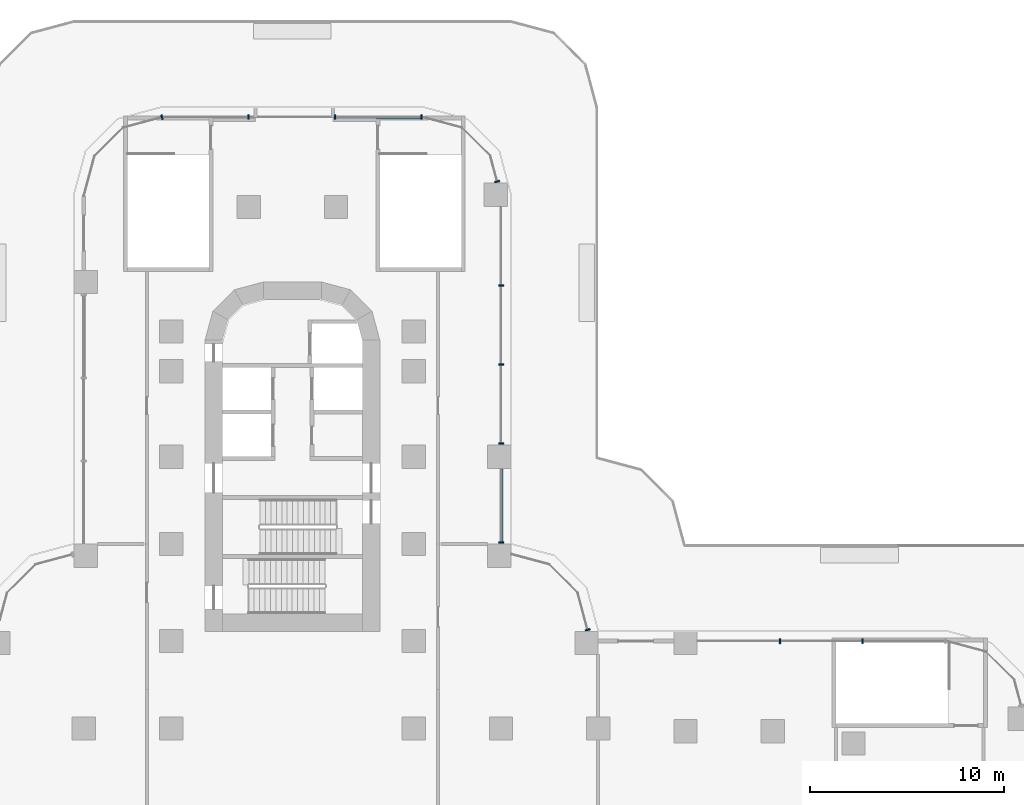
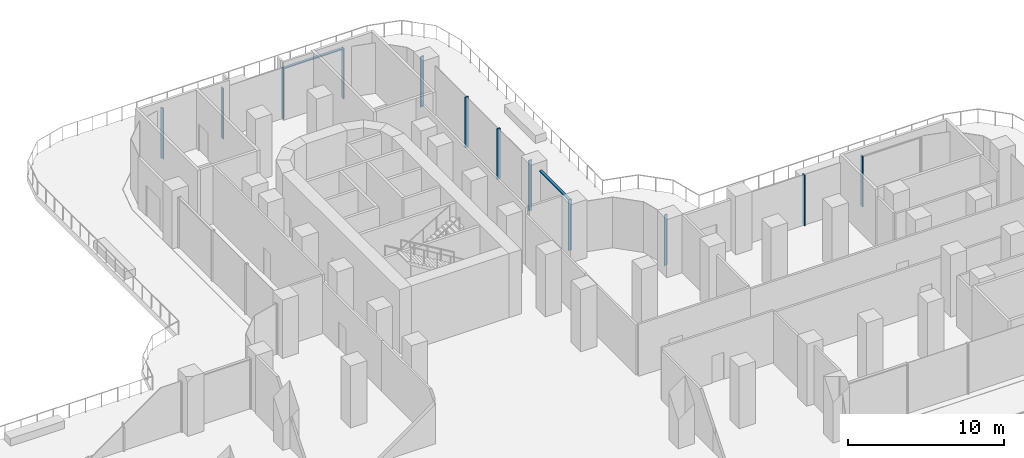
# One storey, part 7 of 21: 14 members, 6 elements without a shape of their own.
"""IFC4 building model written with IfcOpenShell, lengths in metres."""

from ifc_helpers import new_model, si_unit, direction, frame, origin, place, context, subcontext, project, spatial, polyline, outline, extrude, source, transform, mapped, material, type_object, element, aggregate, save


model = new_model("IFC4")

# Units and contexts
model_context = context("Model", 3, precision=1e-05, world=origin(), true_north=direction((0.0, 1.0)))
body_context = subcontext(model_context, "Body", "Model", "MODEL_VIEW")
ifc_project = project(units=[si_unit("LENGTHUNIT", "METRE"), si_unit("AREAUNIT", "SQUARE_METRE"), si_unit("VOLUMEUNIT", "CUBIC_METRE"), si_unit("PLANEANGLEUNIT", "RADIAN"), si_unit("MASSUNIT", "GRAM", prefix="KILO")], contexts=[model_context])

# Site, building, storey
site_placement = place(None, origin())
site = spatial("IfcSite", under=ifc_project, at=site_placement, CompositionType="ELEMENT")
building_placement = place(site_placement, origin())
building = spatial("IfcBuilding", under=site, at=building_placement, Name="Zarbagh Exchange Tower", CompositionType="ELEMENT")
storey_placement = place(building_placement, frame((0.0, 0.0, 22.0)))
storey = spatial("IfcBuildingStorey", under=building, at=storey_placement, Name="L04", CompositionType="ELEMENT", Elevation=22.0)

# Curtain wall, member
ifc_material_1 = material(Name="Anodised aluminium frame and glazing", Category="aluminium")
curtain_wall_type = type_object("IfcCurtainWallType", Name="CWC Podium garden-wall glazing", PredefinedType="NOTDEFINED", material=ifc_material_1)
curtain_wall_1_placement = place(storey_placement, origin())
curtain_wall_1 = element("IfcCurtainWall", 1, at=curtain_wall_1_placement, inside=storey, type_object=curtain_wall_type, Name="CWC203 curtain wall", PredefinedType="NOTDEFINED")
ifc_material_2 = material(Name="Anodised aluminium frame", Category="aluminium")
member_type_1 = type_object("IfcMemberType", Name="TRC Transom, anodised aluminium frame", PredefinedType="USERDEFINED", material=ifc_material_2)
shared_shape_1 = source(origin(), body_context, "Body", "SweptSolid", [
    extrude(outline(polyline([(-0.080078125, -0.090087890625), (0.0, -0.090087890625), (0.0, 0.090087890625), (-0.080078125, 0.090087890625), (-0.080078125, -0.090087890625)])), origin(), (0.0, 0.0, 1.0), 3.739990234375),
])
placement = place(storey_placement, origin())
member_1 = element("IfcMember", 2, at=placement, type_object=member_type_1, Name="CWC203 transom 1.1", ObjectType="TRANSOM", PredefinedType="USERDEFINED", context=body_context, shape_type="MappedRepresentation", body=[
    mapped(shared_shape_1, transform((10.75, 15.8701171875, 3.949951171875), x_axis=(0.0, 0.0, 1.0), y_axis=(1.0, 0.0, 0.0), z_axis=(0.0, 1.0, 0.0))),
])

# Curtain wall, members
curtain_wall_2_placement = place(storey_placement, origin())
curtain_wall_2 = element("IfcCurtainWall", 3, at=curtain_wall_2_placement, inside=storey, type_object=curtain_wall_type, Name="CWC199 curtain wall", PredefinedType="NOTDEFINED")
member_type_2 = type_object("IfcMemberType", Name="MUC Mullion, anodised aluminium frame", PredefinedType="MULLION", material=ifc_material_2)
shared_shape_2 = source(origin(), body_context, "Body", "SweptSolid", [
    extrude(outline(polyline([(0.0, -0.125), (0.080078125, -0.125), (0.080078125, 0.125), (0.0, 0.125), (0.0, -0.125)])), origin(), (0.0, 0.0, 1.0), 3.949951171875),
])
member_2 = element("IfcMember", 4, at=placement, type_object=member_type_2, Name="CWC199 mullion 1.2", PredefinedType="MULLION", context=body_context, shape_type="MappedRepresentation", body=[
    mapped(shared_shape_2, transform((29.41943359375, 10.75, 0.0), x_axis=(-1.0, 0.0, 0.0), y_axis=(0.0, -1.0, 0.0), z_axis=(0.0, 0.0, 1.0))),
])
member_3 = element("IfcMember", 5, at=placement, type_object=member_type_2, Name="CWC199 mullion 1.3", PredefinedType="MULLION", context=body_context, shape_type="MappedRepresentation", body=[
    mapped(shared_shape_2, transform((25.15478515625, 10.75, 0.0), x_axis=(-1.0, 0.0, 0.0), y_axis=(0.0, -1.0, 0.0), z_axis=(0.0, 0.0, 1.0))),
])
aggregate(curtain_wall_2, [member_2, member_3])

# Curtain wall, member
curtain_wall_3_placement = place(storey_placement, origin())
curtain_wall_3 = element("IfcCurtainWall", 6, at=curtain_wall_3_placement, inside=storey, type_object=curtain_wall_type, Name="CWC200 curtain wall", PredefinedType="NOTDEFINED")
member_4 = element("IfcMember", 7, at=placement, type_object=member_type_2, Name="CWC200 mullion 1.1", PredefinedType="MULLION", context=body_context, shape_type="MappedRepresentation", body=[
    mapped(shared_shape_2, transform((15.2216796875, 11.2900390625, 0.0), x_axis=(-0.258824779902, 0.965924289636, 0.0), y_axis=(-0.965924289636, -0.258824779902, 0.0), z_axis=(0.0, 0.0, 1.0))),
])
aggregate(curtain_wall_3, [member_4])

# Member
member_5 = element("IfcMember", 8, at=placement, type_object=member_type_2, Name="CWC203 mullion 1.1", PredefinedType="MULLION", context=body_context, shape_type="MappedRepresentation", body=[
    mapped(shared_shape_2, transform((10.75, 15.7900390625, 0.0), x_axis=(0.0, 1.0, 0.0), y_axis=(-1.0, 0.0, 0.0), z_axis=(0.0, 0.0, 1.0))),
])

member_6 = element("IfcMember", 9, at=placement, type_object=member_type_2, Name="CWC203 mullion 2.1", PredefinedType="MULLION", context=body_context, shape_type="MappedRepresentation", body=[
    mapped(shared_shape_2, transform((10.75, 20.89013671875, 0.0), x_axis=(0.0, 1.0, 0.0), y_axis=(-1.0, 0.0, 0.0), z_axis=(0.0, 0.0, 1.0))),
])

member_7 = element("IfcMember", 10, at=placement, type_object=member_type_2, Name="CWC203 mullion 2.2", PredefinedType="MULLION", context=body_context, shape_type="MappedRepresentation", body=[
    mapped(shared_shape_2, transform((10.75, 24.96337890625, 0.0), x_axis=(0.0, 1.0, 0.0), y_axis=(-1.0, 0.0, 0.0), z_axis=(0.0, 0.0, 1.0))),
])

member_8 = element("IfcMember", 11, at=placement, type_object=member_type_2, Name="CWC203 mullion 2.3", PredefinedType="MULLION", context=body_context, shape_type="MappedRepresentation", body=[
    mapped(shared_shape_2, transform((10.75, 29.03662109375, 0.0), x_axis=(0.0, 1.0, 0.0), y_axis=(-1.0, 0.0, 0.0), z_axis=(0.0, 0.0, 1.0))),
])

aggregate(curtain_wall_1, [member_5, member_1, member_6, member_7, member_8])

# Curtain wall, member
curtain_wall_4_placement = place(storey_placement, origin())
curtain_wall_4 = element("IfcCurtainWall", 12, at=curtain_wall_4_placement, inside=storey, type_object=curtain_wall_type, Name="CWC204 curtain wall", PredefinedType="NOTDEFINED")
member_9 = element("IfcMember", 13, at=placement, type_object=member_type_2, Name="CWC204 mullion 1.1", PredefinedType="MULLION", context=body_context, shape_type="MappedRepresentation", body=[
    mapped(shared_shape_2, transform((10.560791015625, 34.389892578125, 0.0), x_axis=(-0.258824779902, 0.965924289636, 0.0), y_axis=(-0.965924289636, -0.258824779902, 0.0), z_axis=(0.0, 0.0, 1.0))),
])
aggregate(curtain_wall_4, [member_9])

# Curtain wall, members
curtain_wall_5_placement = place(storey_placement, origin())
curtain_wall_5 = element("IfcCurtainWall", 14, at=curtain_wall_5_placement, inside=storey, type_object=curtain_wall_type, Name="CWC207 curtain wall", PredefinedType="NOTDEFINED")
member_10 = element("IfcMember", 15, at=placement, type_object=member_type_2, Name="CWC207 mullion 1.1", PredefinedType="MULLION", context=body_context, shape_type="MappedRepresentation", body=[
    mapped(shared_shape_2, transform((6.68408203125, 37.75, 0.0), x_axis=(-1.0, 0.0, 0.0), y_axis=(0.0, -1.0, 0.0), z_axis=(0.0, 0.0, 1.0))),
])
member_11 = element("IfcMember", 16, at=placement, type_object=member_type_2, Name="CWC207 mullion 1.2", PredefinedType="MULLION", context=body_context, shape_type="MappedRepresentation", body=[
    mapped(shared_shape_2, transform((2.22802734375, 37.75, 0.0), x_axis=(-1.0, 0.0, 0.0), y_axis=(0.0, -1.0, 0.0), z_axis=(0.0, 0.0, 1.0))),
])
member_12 = element("IfcMember", 17, at=placement, type_object=member_type_2, Name="CWC207 mullion 1.3", PredefinedType="MULLION", context=body_context, shape_type="MappedRepresentation", body=[
    mapped(shared_shape_2, transform((-2.22802734375, 37.75, 0.0), x_axis=(-1.0, 0.0, 0.0), y_axis=(0.0, -1.0, 0.0), z_axis=(0.0, 0.0, 1.0))),
])

# Curtain wall, member
curtain_wall_6_placement = place(storey_placement, origin())
curtain_wall_6 = element("IfcCurtainWall", 18, at=curtain_wall_6_placement, inside=storey, type_object=curtain_wall_type, Name="CWC208 curtain wall", PredefinedType="NOTDEFINED")
member_13 = element("IfcMember", 19, at=placement, type_object=member_type_2, Name="CWC208 mullion 1.1", PredefinedType="MULLION", context=body_context, shape_type="MappedRepresentation", body=[
    mapped(shared_shape_2, transform((-6.68408203125, 37.75, 0.0), x_axis=(-0.965924289636, -0.258824779902, 0.0), y_axis=(0.258824779902, -0.965924289636, 0.0), z_axis=(0.0, 0.0, 1.0))),
])
aggregate(curtain_wall_6, [member_13])

# Member
shared_shape_3 = source(origin(), body_context, "Body", "SweptSolid", [
    extrude(outline(polyline([(-0.080078125, -0.090087890625), (0.0, -0.090087890625), (0.0, 0.090087890625), (-0.080078125, 0.090087890625), (-0.080078125, -0.090087890625)])), origin(), (0.0, 0.0, 1.0), 4.376220703125),
])
member_14 = element("IfcMember", 20, at=placement, type_object=member_type_1, Name="CWC207 transom 1.1", ObjectType="TRANSOM", PredefinedType="USERDEFINED", context=body_context, shape_type="MappedRepresentation", body=[
    mapped(shared_shape_3, transform((6.604248046875, 37.75, 3.949951171875), x_axis=(0.0, 0.0, 1.0), y_axis=(0.0, 1.0, 0.0), z_axis=(-1.0, 0.0, 0.0))),
])

aggregate(curtain_wall_5, [member_10, member_14, member_11, member_12])

save(model, "model.ifc")
